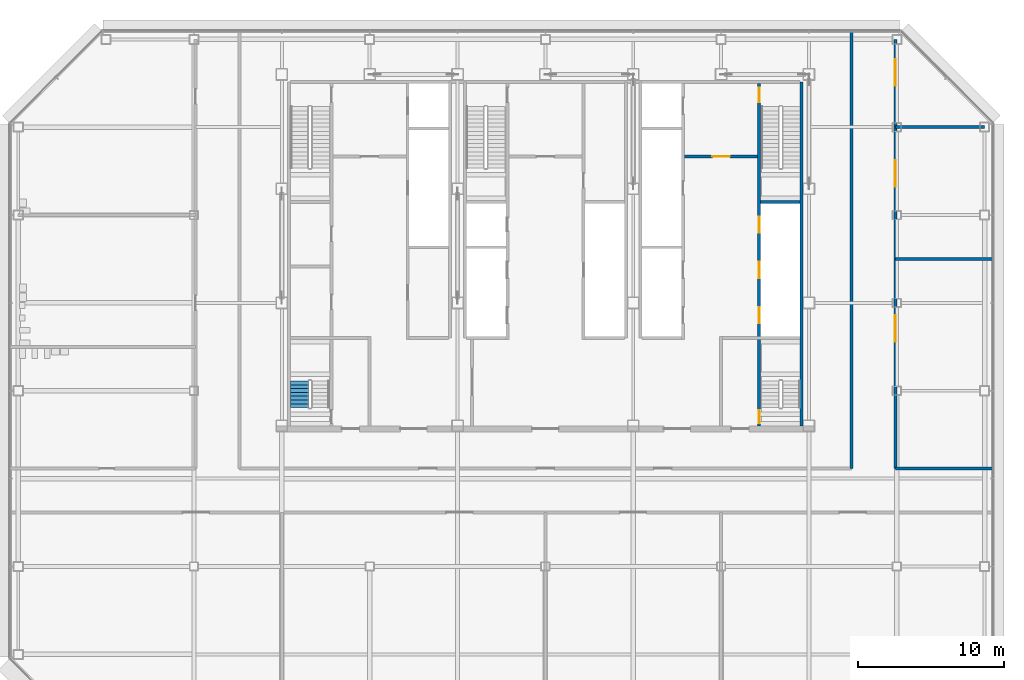
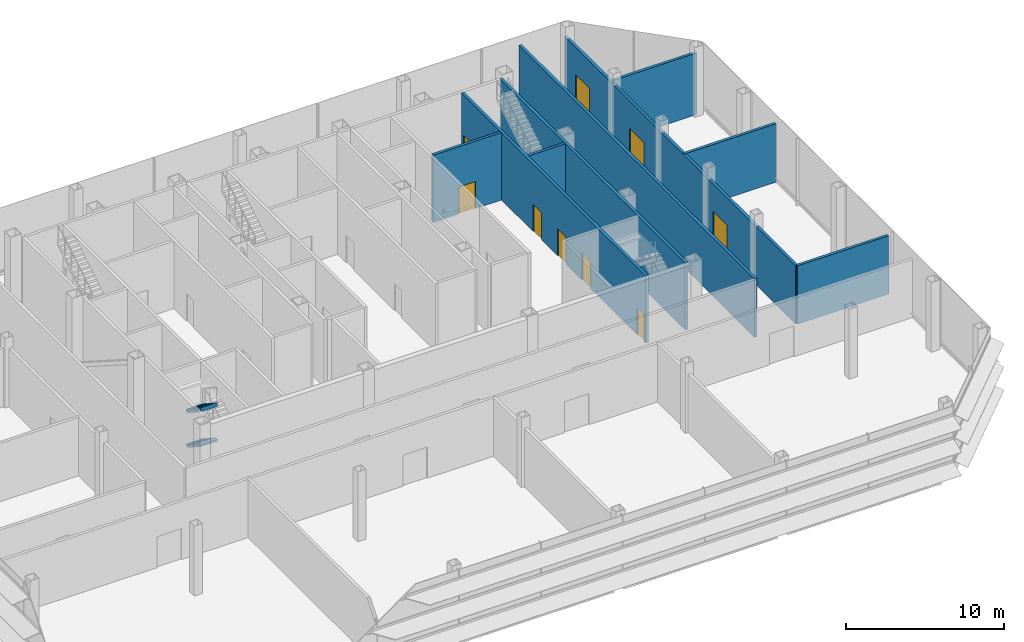
# One storey, part 20 of 25: 9 doors, 9 walls, 2 stair flights, 9 openings, 1 element without a shape of its own.
"""IFC4 building model written with IfcOpenShell, lengths in metres."""

from ifc_helpers import new_model, si_unit, direction, frame, frame_2d, origin, place, context, subcontext, project, spatial, polyline, rectangle, outline, extrude, material, layer, layer_set, type_object, element, fill, aggregate, save


model = new_model("IFC4")

# Units and contexts
model_context = context("Model", 3, precision=1e-05, world=origin(), true_north=direction((0.0, 1.0)))
body_context = subcontext(model_context, "Body", "Model", "MODEL_VIEW")
ifc_project = project(units=[si_unit("LENGTHUNIT", "METRE"), si_unit("AREAUNIT", "SQUARE_METRE"), si_unit("VOLUMEUNIT", "CUBIC_METRE"), si_unit("PLANEANGLEUNIT", "RADIAN"), si_unit("MASSUNIT", "GRAM", prefix="KILO")], contexts=[model_context])

# Site, building, storey
site_placement = place(None, origin())
site = spatial("IfcSite", under=ifc_project, at=site_placement, CompositionType="ELEMENT")
building_placement = place(site_placement, origin())
building = spatial("IfcBuilding", under=site, at=building_placement, Name="Sorahane Residences", CompositionType="ELEMENT")
storey_placement = place(building_placement, frame((0.0, 0.0, 210.0)))
storey = spatial("IfcBuildingStorey", under=building, at=storey_placement, Name="L49", CompositionType="ELEMENT", Elevation=210.0)

# Walls
ifc_material_1 = material(Name="Concrete C30", Category="concrete")
ifc_layer_1 = layer(ifc_material_1, 0.199951171875)
ifc_layer_set_1 = layer_set([ifc_layer_1], Name="Core face wall 200 EI 180")
wall_type_1 = type_object("IfcWallType", Name="Core face wall 200 EI 180", PredefinedType="SOLIDWALL", material=ifc_layer_set_1)
wall_1_placement = place(storey_placement, frame((41.5, 21.60009765625, 0.0), z_axis=(0.0, 0.0, 1.0), x_axis=(0.0, 1.0, 0.0)))
element("IfcWall", 1, at=wall_1_placement, inside=storey, type_object=wall_type_1, Name="L49 core face wall", PredefinedType="SOLIDWALL", context=body_context, shape_type="SweptSolid", body=[
    extrude(rectangle(XDim=23.5, YDim=0.199951171875, at=frame_2d((11.75, 0.0))), origin(), (0.0, 0.0, 1.0), 5.219970703125),
])
ifc_material_2 = material(Name="Concrete blockwork C20 wall", Category="masonry")
ifc_layer_2 = layer(ifc_material_2, 0.199951171875)
ifc_layer_set_2 = layer_set([ifc_layer_2], Name="Corridor wall 200 EI 120")
wall_type_2 = type_object("IfcWallType", Name="Corridor wall 200 EI 120", PredefinedType="SOLIDWALL", material=ifc_layer_set_2)
wall_2_placement = place(storey_placement, frame((44.89990234375, 18.699951171875, 0.0), z_axis=(0.0, 0.0, 1.0), x_axis=(0.0, 1.0, 0.0)))
element("IfcWall", 2, at=wall_2_placement, inside=storey, type_object=wall_type_2, Name="L49 corridor wall", PredefinedType="SOLIDWALL", context=body_context, shape_type="SweptSolid", body=[
    extrude(rectangle(XDim=29.900146484375, YDim=0.199951171875, at=frame_2d((14.9501953125, 0.0))), origin(), (0.0, 0.0, 1.0), 4.52001953125),
])

# Wall, openings, doors
wall_3_placement = place(storey_placement, frame((47.89990234375, 18.699951171875, 0.0), z_axis=(0.0, 0.0, 1.0), x_axis=(0.0, 1.0, 0.0)))
wall_3 = element("IfcWall", 3, at=wall_3_placement, inside=storey, type_object=wall_type_2, Name="L49 corridor wall", PredefinedType="SOLIDWALL", context=body_context, shape_type="SweptSolid", body=[
    extrude(rectangle(XDim=29.300048828125, YDim=0.199951171875, at=frame_2d((14.64990234375, 0.0))), origin(), (0.0, 0.0, 1.0), 4.52001953125),
])
opening_1_placement = place(wall_3_placement, frame((8.64990234375, 0.0, 0.0)))
opening_1 = element("IfcOpeningElement", 4, at=opening_1_placement, cuts=wall_3, Name="Opening L49-08", PredefinedType="OPENING", context=body_context, shape_type="SweptSolid", body=[
    extrude(rectangle(XDim=1.800048828125, YDim=2.39990234375, at=frame_2d((0.89990234375, 1.199951171875))), frame((0.0, 0.10986328125, 0.0), z_axis=(0.0, -1.0, 0.0), x_axis=(1.0, 0.0, 0.0)), (0.0, 0.0, 1.0), 0.219970703125),
])
opening_2_placement = place(wall_3_placement, frame((19.239990234375, 0.0, 0.0)))
opening_2 = element("IfcOpeningElement", 5, at=opening_2_placement, cuts=wall_3, Name="Opening L49-09", PredefinedType="OPENING", context=body_context, shape_type="SweptSolid", body=[
    extrude(rectangle(XDim=1.800048828125, YDim=2.39990234375, at=frame_2d((0.89990234375, 1.199951171875))), frame((0.0, 0.10986328125, 0.0), z_axis=(0.0, -1.0, 0.0), x_axis=(1.0, 0.0, 0.0)), (0.0, 0.0, 1.0), 0.219970703125),
])
opening_3_placement = place(wall_3_placement, frame((26.139892578125, 0.0, 0.0)))
opening_3 = element("IfcOpeningElement", 6, at=opening_3_placement, cuts=wall_3, Name="Opening L49-10", PredefinedType="OPENING", context=body_context, shape_type="SweptSolid", body=[
    extrude(rectangle(XDim=1.800048828125, YDim=2.39990234375, at=frame_2d((0.89990234375, 1.199951171875))), frame((0.0, 0.10986328125, 0.0), z_axis=(0.0, -1.0, 0.0), x_axis=(1.0, 0.0, 0.0)), (0.0, 0.0, 1.0), 0.219970703125),
])
ifc_material_3 = material(Name="Timber veneered fire door", Category="wood")
door_type_1 = type_object("IfcDoorType", Name="Double door 1800x2400 FD30", OperationType="NOTDEFINED", PredefinedType="DOOR", material=ifc_material_3)
door_1_placement = place(opening_1_placement, frame((1.800048828125, 0.0, 0.0), z_axis=(0.0, 0.0, 1.0), x_axis=(-1.0, 0.0, 0.0)))
door_1 = element("IfcDoor", 7, at=door_1_placement, inside=storey, type_object=door_type_1, Name="Double door L49-08", OperationType="SINGLE_SWING_LEFT", OverallHeight=2.39990234375, OverallWidth=1.800048828125, PredefinedType="DOOR", context=body_context, shape_type="SweptSolid", body=[
    extrude(rectangle(XDim=1.800048828125, YDim=2.39990234375, at=frame_2d((0.89990234375, 1.199951171875))), frame((0.0, 0.02490234375, 0.0), z_axis=(0.0, -1.0, 0.0), x_axis=(1.0, 0.0, 0.0)), (0.0, 0.0, 1.0), 0.050048828125),
])
fill(opening_1, door_1)
door_2_placement = place(opening_2_placement, frame((1.800048828125, 0.0, 0.0), z_axis=(0.0, 0.0, 1.0), x_axis=(-1.0, 0.0, 0.0)))
door_2 = element("IfcDoor", 8, at=door_2_placement, inside=storey, type_object=door_type_1, Name="Double door L49-09", OperationType="SINGLE_SWING_LEFT", OverallHeight=2.39990234375, OverallWidth=1.800048828125, PredefinedType="DOOR", context=body_context, shape_type="SweptSolid", body=[
    extrude(rectangle(XDim=1.800048828125, YDim=2.39990234375, at=frame_2d((0.89990234375, 1.199951171875))), frame((0.0, 0.02490234375, 0.0), z_axis=(0.0, -1.0, 0.0), x_axis=(1.0, 0.0, 0.0)), (0.0, 0.0, 1.0), 0.050048828125),
])
fill(opening_2, door_2)
door_3_placement = place(opening_3_placement, frame((1.800048828125, 0.0, 0.0), z_axis=(0.0, 0.0, 1.0), x_axis=(-1.0, 0.0, 0.0)))
door_3 = element("IfcDoor", 9, at=door_3_placement, inside=storey, type_object=door_type_1, Name="Double door L49-10", OperationType="SINGLE_SWING_RIGHT", OverallHeight=2.39990234375, OverallWidth=1.800048828125, PredefinedType="DOOR", context=body_context, shape_type="SweptSolid", body=[
    extrude(rectangle(XDim=1.800048828125, YDim=2.39990234375, at=frame_2d((0.89990234375, 1.199951171875))), frame((0.0, 0.02490234375, 0.0), z_axis=(0.0, -1.0, 0.0), x_axis=(1.0, 0.0, 0.0)), (0.0, 0.0, 1.0), 0.050048828125),
])
fill(opening_3, door_3)

# Walls
for number, where, z_axis, x_axis, name in (
    (10, (47.89990234375, 18.699951171875, 0.0), (0.0, 0.0, 1.0), (1.0, 0.0, 0.0), "L49 corridor wall"),
    (11, (47.89990234375, 33.0, 0.0), (0.0, 0.0, 1.0), (1.0, 0.0, 0.0), "L49 corridor wall"),
):
    element("IfcWall", number, at=place(storey_placement, frame(where, z_axis=z_axis, x_axis=x_axis)), inside=storey, type_object=wall_type_2, Name=name, PredefinedType="SOLIDWALL", context=body_context, shape_type="SweptSolid", body=[
        extrude(rectangle(XDim=6.7001953125, YDim=0.199951171875, at=frame_2d((3.35009765625, 0.0))), origin(), (0.0, 0.0, 1.0), 4.52001953125),
    ])
wall_4_placement = place(storey_placement, frame((47.89990234375, 42.0, 0.0), z_axis=(0.0, 0.0, 1.0), x_axis=(1.0, 0.0, 0.0)))
element("IfcWall", 12, at=wall_4_placement, inside=storey, type_object=wall_type_2, Name="L49 corridor wall", PredefinedType="SOLIDWALL", context=body_context, shape_type="SweptSolid", body=[
    extrude(rectangle(XDim=6.10009765625, YDim=0.199951171875, at=frame_2d((3.050048828125, 0.0))), origin(), (0.0, 0.0, 1.0), 4.77001953125),
])

# Wall, opening, door
ifc_material_4 = material(Name="Concrete C30", Category="concrete")
ifc_layer_3 = layer(ifc_material_4, 0.199951171875)
ifc_layer_set_3 = layer_set([ifc_layer_3], Name="Front room wall 200 EI 120")
wall_type_3 = type_object("IfcWallType", Name="Front room wall 200 EI 120", PredefinedType="PARTITIONING", material=ifc_layer_set_3)
wall_5_placement = place(storey_placement, frame((33.5, 40.0, 0.0), z_axis=(0.0, 0.0, 1.0), x_axis=(1.0, 0.0, 0.0)))
wall_5 = element("IfcWall", 13, at=wall_5_placement, inside=storey, type_object=wall_type_3, Name="L49 front room wall", PredefinedType="PARTITIONING", context=body_context, shape_type="SweptSolid", body=[
    extrude(rectangle(XDim=5.0, YDim=0.199951171875, at=frame_2d((2.5, 0.0))), origin(), (0.0, 0.0, 1.0), 5.219970703125),
])
opening_4_placement = place(wall_5_placement, frame((1.89990234375, 0.0, 0.0)))
opening_4 = element("IfcOpeningElement", 14, at=opening_4_placement, cuts=wall_5, Name="Opening L49-C09", PredefinedType="OPENING", context=body_context, shape_type="SweptSolid", body=[
    extrude(rectangle(XDim=1.199951171875, YDim=2.10009765625, at=frame_2d((0.60009765625, 1.050048828125))), frame((0.0, 0.10986328125, 0.0), z_axis=(0.0, -1.0, 0.0), x_axis=(1.0, 0.0, 0.0)), (0.0, 0.0, 1.0), 0.219970703125),
])
ifc_material_5 = material(Name="Steel", Category="steel")
door_type_2 = type_object("IfcDoorType", Name="Front room door 1200x2100 FD120", OperationType="NOTDEFINED", PredefinedType="DOOR", material=ifc_material_5)
door_4_placement = place(opening_4_placement, frame((1.199951171875, 0.0, 0.0), z_axis=(0.0, 0.0, 1.0), x_axis=(-1.0, 0.0, 0.0)))
door_4 = element("IfcDoor", 15, at=door_4_placement, inside=storey, type_object=door_type_2, Name="Front room door Firefighting lobby FF2 front room L49", OperationType="DOUBLE_DOOR_SINGLE_SWING", OverallHeight=2.10009765625, OverallWidth=1.199951171875, PredefinedType="DOOR", context=body_context, shape_type="SweptSolid", body=[
    extrude(rectangle(XDim=1.199951171875, YDim=2.10009765625, at=frame_2d((0.60009765625, 1.050048828125))), frame((0.0, 0.02490234375, 0.0), z_axis=(0.0, -1.0, 0.0), x_axis=(1.0, 0.0, 0.0)), (0.0, 0.0, 1.0), 0.050048828125),
])
fill(opening_4, door_4)

# Wall, openings, doors
ifc_material_6 = material(Name="Concrete C30", Category="concrete")
ifc_layer_4 = layer(ifc_material_6, 0.199951171875)
ifc_layer_set_4 = layer_set([ifc_layer_4], Name="Stair enclosure wall 200 EI 120")
wall_type_4 = type_object("IfcWallType", Name="Stair enclosure wall 200 EI 120", PredefinedType="SOLIDWALL", material=ifc_layer_set_4)
wall_6_placement = place(storey_placement, frame((38.60009765625, 21.60009765625, 0.0), z_axis=(0.0, 0.0, 1.0), x_axis=(0.0, 1.0, 0.0)))
wall_6 = element("IfcWall", 16, at=wall_6_placement, inside=storey, type_object=wall_type_4, Name="L49 stair enclosure wall", PredefinedType="SOLIDWALL", context=body_context, shape_type="SweptSolid", body=[
    extrude(rectangle(XDim=23.39990234375, YDim=0.199951171875, at=frame_2d((11.699951171875, 0.0))), origin(), (0.0, 0.0, 1.0), 5.219970703125),
])
opening_5_placement = place(wall_6_placement, frame((7.0, 0.0, 0.0)))
opening_5 = element("IfcOpeningElement", 17, at=opening_5_placement, cuts=wall_6, Name="Opening L49-C12", PredefinedType="OPENING", context=body_context, shape_type="SweptSolid", body=[
    extrude(rectangle(XDim=1.10009765625, YDim=2.10009765625, at=frame_2d((0.550048828125, 1.050048828125))), frame((0.0, 0.10986328125, 0.0), z_axis=(0.0, -1.0, 0.0), x_axis=(1.0, 0.0, 0.0)), (0.0, 0.0, 1.0), 0.219970703125),
])
opening_6_placement = place(wall_6_placement, frame((10.10009765625, 0.0, 0.0)))
opening_6 = element("IfcOpeningElement", 18, at=opening_6_placement, cuts=wall_6, Name="Opening L49-C13", PredefinedType="OPENING", context=body_context, shape_type="SweptSolid", body=[
    extrude(rectangle(XDim=1.10009765625, YDim=2.10009765625, at=frame_2d((0.550048828125, 1.050048828125))), frame((0.0, 0.10986328125, 0.0), z_axis=(0.0, -1.0, 0.0), x_axis=(1.0, 0.0, 0.0)), (0.0, 0.0, 1.0), 0.219970703125),
])
opening_7_placement = place(wall_6_placement, frame((13.199951171875, 0.0, 0.0)))
opening_7 = element("IfcOpeningElement", 19, at=opening_7_placement, cuts=wall_6, Name="Opening L49-C14", PredefinedType="OPENING", context=body_context, shape_type="SweptSolid", body=[
    extrude(rectangle(XDim=1.10009765625, YDim=2.10009765625, at=frame_2d((0.550048828125, 1.050048828125))), frame((0.0, 0.10986328125, 0.0), z_axis=(0.0, -1.0, 0.0), x_axis=(1.0, 0.0, 0.0)), (0.0, 0.0, 1.0), 0.219970703125),
])
opening_8_placement = place(wall_6_placement, frame((22.10009765625, 0.0, 0.0)))
opening_8 = element("IfcOpeningElement", 20, at=opening_8_placement, cuts=wall_6, Name="Opening L49-C23", PredefinedType="OPENING", context=body_context, shape_type="SweptSolid", body=[
    extrude(rectangle(XDim=1.0, YDim=2.10009765625, at=frame_2d((0.5, 1.050048828125))), frame((0.0, 0.10986328125, 0.0), z_axis=(0.0, -1.0, 0.0), x_axis=(1.0, 0.0, 0.0)), (0.0, 0.0, 1.0), 0.219970703125),
])
opening_9_placement = place(wall_6_placement, frame((0.175048828125, 0.0, 0.0)))
opening_9 = element("IfcOpeningElement", 21, at=opening_9_placement, cuts=wall_6, Name="Opening L49-C26", PredefinedType="OPENING", context=body_context, shape_type="SweptSolid", body=[
    extrude(rectangle(XDim=0.89990234375, YDim=2.10009765625, at=frame_2d((0.449951171875, 1.050048828125))), frame((0.0, 0.10986328125, 0.0), z_axis=(0.0, -1.0, 0.0), x_axis=(1.0, 0.0, 0.0)), (0.0, 0.0, 1.0), 0.219970703125),
])
ifc_material_7 = material(Name="Aluminium and stainless steel", Category="steel")
door_type_3 = type_object("IfcDoorType", Name="Lift landing door 1100x2100 E 60", OperationType="NOTDEFINED", PredefinedType="DOOR", material=ifc_material_7)
door_5_placement = place(opening_5_placement, origin())
door_5 = element("IfcDoor", 22, at=door_5_placement, inside=storey, type_object=door_type_3, Name="Lift landing door HR1 L49", OperationType="DOUBLE_DOOR_SLIDING", OverallHeight=2.10009765625, OverallWidth=1.10009765625, PredefinedType="DOOR", context=body_context, shape_type="SweptSolid", body=[
    extrude(rectangle(XDim=1.10009765625, YDim=2.10009765625, at=frame_2d((0.550048828125, 1.050048828125))), frame((0.0, 0.02490234375, 0.0), z_axis=(0.0, -1.0, 0.0), x_axis=(1.0, 0.0, 0.0)), (0.0, 0.0, 1.0), 0.050048828125),
])
fill(opening_5, door_5)
door_6_placement = place(opening_6_placement, origin())
door_6 = element("IfcDoor", 23, at=door_6_placement, inside=storey, type_object=door_type_3, Name="Lift landing door HR2 L49", OperationType="DOUBLE_DOOR_SLIDING", OverallHeight=2.10009765625, OverallWidth=1.10009765625, PredefinedType="DOOR", context=body_context, shape_type="SweptSolid", body=[
    extrude(rectangle(XDim=1.10009765625, YDim=2.10009765625, at=frame_2d((0.550048828125, 1.050048828125))), frame((0.0, 0.02490234375, 0.0), z_axis=(0.0, -1.0, 0.0), x_axis=(1.0, 0.0, 0.0)), (0.0, 0.0, 1.0), 0.050048828125),
])
fill(opening_6, door_6)
door_7_placement = place(opening_7_placement, origin())
door_7 = element("IfcDoor", 24, at=door_7_placement, inside=storey, type_object=door_type_3, Name="Lift landing door HR3 L49", OperationType="DOUBLE_DOOR_SLIDING", OverallHeight=2.10009765625, OverallWidth=1.10009765625, PredefinedType="DOOR", context=body_context, shape_type="SweptSolid", body=[
    extrude(rectangle(XDim=1.10009765625, YDim=2.10009765625, at=frame_2d((0.550048828125, 1.050048828125))), frame((0.0, 0.02490234375, 0.0), z_axis=(0.0, -1.0, 0.0), x_axis=(1.0, 0.0, 0.0)), (0.0, 0.0, 1.0), 0.050048828125),
])
fill(opening_7, door_7)
ifc_material_8 = material(Name="Steel", Category="steel")
door_type_4 = type_object("IfcDoorType", Name="Stair door 1000x2100 FD120", OperationType="NOTDEFINED", PredefinedType="DOOR", material=ifc_material_8)
door_8_placement = place(opening_8_placement, frame((1.0, 0.0, 0.0), z_axis=(0.0, 0.0, 1.0), x_axis=(-1.0, 0.0, 0.0)))
door_8 = element("IfcDoor", 25, at=door_8_placement, inside=storey, type_object=door_type_4, Name="Stair door S2 L49", OperationType="SINGLE_SWING_LEFT", OverallHeight=2.10009765625, OverallWidth=1.0, PredefinedType="DOOR", context=body_context, shape_type="SweptSolid", body=[
    extrude(rectangle(XDim=1.0, YDim=2.10009765625, at=frame_2d((0.5, 1.050048828125))), frame((0.0, 0.02490234375, 0.0), z_axis=(0.0, -1.0, 0.0), x_axis=(1.0, 0.0, 0.0)), (0.0, 0.0, 1.0), 0.050048828125),
])
fill(opening_8, door_8)
ifc_material_9 = material(Name="Steel", Category="steel")
door_type_5 = type_object("IfcDoorType", Name="Stair door 900x2100 FD120", OperationType="NOTDEFINED", PredefinedType="DOOR", material=ifc_material_9)
door_9_placement = place(opening_9_placement, frame((0.89990234375, 0.0, 0.0), z_axis=(0.0, 0.0, 1.0), x_axis=(-1.0, 0.0, 0.0)))
door_9 = element("IfcDoor", 26, at=door_9_placement, inside=storey, type_object=door_type_5, Name="Stair door S5 L49", OperationType="SINGLE_SWING_LEFT", OverallHeight=2.10009765625, OverallWidth=0.89990234375, PredefinedType="DOOR", context=body_context, shape_type="SweptSolid", body=[
    extrude(rectangle(XDim=0.89990234375, YDim=2.10009765625, at=frame_2d((0.449951171875, 1.050048828125))), frame((0.0, 0.02490234375, 0.0), z_axis=(0.0, -1.0, 0.0), x_axis=(1.0, 0.0, 0.0)), (0.0, 0.0, 1.0), 0.050048828125),
])
fill(opening_9, door_9)

# Wall
wall_7_placement = place(storey_placement, frame((38.699951171875, 36.89990234375, 0.0), z_axis=(0.0, 0.0, 1.0), x_axis=(1.0, 0.0, 0.0)))
element("IfcWall", 27, at=wall_7_placement, inside=storey, type_object=wall_type_4, Name="L49 stair enclosure wall", PredefinedType="SOLIDWALL", context=body_context, shape_type="SweptSolid", body=[
    extrude(rectangle(XDim=2.699951171875, YDim=0.199951171875, at=frame_2d((1.35009765625, 0.0))), origin(), (0.0, 0.0, 1.0), 5.219970703125),
])

# Stair, stair flights
ifc_material_10 = material(Name="Concrete C40", Category="concrete")
stair_type = type_object("IfcStairType", Name="Dog-leg stair 1250 Concrete C40", PredefinedType="HALF_TURN_STAIR", material=ifc_material_10)
stair_placement = place(storey_placement, origin())
stair = element("IfcStair", 28, at=stair_placement, inside=storey, type_object=stair_type, Name="L49 Stair S4", PredefinedType="HALF_TURN_STAIR")
ifc_material_11 = material(Name="Concrete C40", Category="concrete")
stair_flight_type = type_object("IfcStairFlightType", Name="Stair flight 1250 Concrete C40", PredefinedType="STRAIGHT", material=ifc_material_11)
stair_flight_1_placement = place(storey_placement, frame((7.22509765625, 24.669921875, 1.35009765625), z_axis=(0.0, 0.0, 1.0), x_axis=(0.0, -1.0, 0.0)))
stair_flight_1 = element("IfcStairFlight", 29, at=stair_flight_1_placement, type_object=stair_flight_type, Name="S4 flight 2", NumberOfRisers=8, NumberOfTreads=7, PredefinedType="STRAIGHT", RiserHeight=0.16875, TreadLength=0.26, context=body_context, shape_type="SweptSolid", body=[
    extrude(outline(polyline([(0.0, 0.0), (0.0, 0.002197265625), (0.0, 0.004150390625), (0.0, 0.00634765625), (0.0, 0.00830078125), (0.0, 0.010498046875), (0.0, 0.012451171875), (0.0, 0.0146484375), (0.0, 0.0166015625), (0.0, 0.018798828125), (0.0, 0.020751953125), (0.0, 0.02294921875), (0.0, 0.02490234375), (0.0, 0.027099609375), (0.0, 0.029052734375), (0.0, 0.03125), (0.0, 0.033447265625), (0.0, 0.035400390625), (0.0, 0.03759765625), (0.0, 0.03955078125), (0.0, 0.041748046875), (0.0, 0.043701171875), (0.0, 0.0458984375), (0.0, 0.0478515625), (0.0, 0.050048828125), (0.0, 0.052001953125), (0.0, 0.05419921875), (0.0, 0.05615234375), (0.0, 0.058349609375), (0.0, 0.060302734375), (0.0, 0.0625), (0.0, 0.064697265625), (0.0, 0.066650390625), (0.0, 0.06884765625), (0.0, 0.07080078125), (0.0, 0.072998046875), (0.0, 0.074951171875), (0.0, 0.0771484375), (0.0, 0.0791015625), (0.0, 0.081298828125), (0.0, 0.083251953125), (0.0, 0.08544921875), (0.0, 0.08740234375), (0.0, 0.089599609375), (0.0, 0.091552734375), (0.0, 0.09375), (0.0, 0.095947265625), (0.0, 0.097900390625), (0.0, 0.10009765625), (0.0, 0.10205078125), (0.0, 0.104248046875), (0.0, 0.106201171875), (0.0, 0.1083984375), (0.0, 0.1103515625), (0.0, 0.112548828125), (0.0, 0.114501953125), (0.0, 0.11669921875), (0.0, 0.11865234375), (0.0, 0.120849609375), (0.0, 0.122802734375), (0.0, 0.125), (0.0, 0.127197265625), (0.0, 0.129150390625), (0.0, 0.13134765625), (0.0, 0.13330078125), (0.0, 0.135498046875), (0.0, 0.137451171875), (0.0, 0.1396484375), (0.0, 0.1416015625), (0.0, 0.143798828125), (0.0, 0.145751953125), (0.0, 0.14794921875), (0.0, 0.14990234375), (0.0, 0.152099609375), (0.0, 0.154052734375), (0.0, 0.15625), (0.0, 0.158447265625), (0.0, 0.160400390625), (0.0, 0.16259765625), (0.0, 0.16455078125), (0.0, 0.166748046875), (0.0, 0.168701171875), (0.260009765625, 0.168701171875), (0.260009765625, 0.33740234375), (0.52001953125, 0.33740234375), (0.52001953125, 0.50634765625), (0.780029296875, 0.50634765625), (0.780029296875, 0.675048828125), (1.0400390625, 0.675048828125), (1.0400390625, 0.84375), (1.300048828125, 0.84375), (1.300048828125, 1.012451171875), (1.56005859375, 1.012451171875), (1.56005859375, 1.18115234375), (1.820068359375, 1.18115234375), (1.820068359375, 1.35009765625), (1.820068359375, 1.34619140625), (1.820068359375, 1.34228515625), (1.820068359375, 1.33837890625), (1.820068359375, 1.334716796875), (1.820068359375, 1.330810546875), (1.820068359375, 1.326904296875), (1.820068359375, 1.322998046875), (1.820068359375, 1.319091796875), (1.820068359375, 1.3154296875), (1.820068359375, 1.3115234375), (1.820068359375, 1.3076171875), (1.820068359375, 1.3037109375), (1.820068359375, 1.300048828125), (1.820068359375, 1.296142578125), (1.820068359375, 1.292236328125), (1.820068359375, 1.288330078125), (1.820068359375, 1.284423828125), (1.820068359375, 1.28076171875), (1.820068359375, 1.27685546875), (1.820068359375, 1.27294921875), (1.820068359375, 1.26904296875), (1.820068359375, 1.265380859375), (1.820068359375, 1.261474609375), (1.820068359375, 1.257568359375), (1.820068359375, 1.253662109375), (1.820068359375, 1.249755859375), (1.820068359375, 1.24609375), (1.820068359375, 1.2421875), (1.820068359375, 1.23828125), (1.820068359375, 1.234375), (1.820068359375, 1.230712890625), (1.820068359375, 1.226806640625), (1.820068359375, 1.222900390625), (1.820068359375, 1.218994140625), (1.820068359375, 1.215087890625), (1.820068359375, 1.21142578125), (1.820068359375, 1.20751953125), (1.820068359375, 1.20361328125), (1.820068359375, 1.19970703125), (1.820068359375, 1.196044921875), (1.820068359375, 1.192138671875), (1.820068359375, 1.188232421875), (1.820068359375, 1.184326171875), (1.820068359375, 1.1806640625), (1.820068359375, 1.1767578125), (1.820068359375, 1.1728515625), (1.820068359375, 1.1689453125), (1.820068359375, 1.1650390625), (1.820068359375, 1.161376953125), (1.820068359375, 1.157470703125), (1.820068359375, 1.153564453125), (1.820068359375, 1.149658203125), (1.820068359375, 1.14599609375), (1.820068359375, 1.14208984375), (1.820068359375, 1.13818359375), (1.820068359375, 1.13427734375), (1.820068359375, 1.13037109375), (1.820068359375, 1.126708984375), (1.820068359375, 1.122802734375), (1.820068359375, 1.118896484375), (1.820068359375, 1.114990234375), (1.820068359375, 1.111328125), (1.820068359375, 1.107421875), (1.820068359375, 1.103515625), (1.820068359375, 1.099609375), (1.820068359375, 1.095703125), (1.820068359375, 1.092041015625), (1.820068359375, 1.088134765625), (1.820068359375, 1.084228515625), (1.820068359375, 1.080322265625), (1.820068359375, 1.07666015625), (1.820068359375, 1.07275390625), (1.820068359375, 1.06884765625), (1.820068359375, 1.06494140625), (1.820068359375, 1.061279296875), (1.820068359375, 1.057373046875), (1.820068359375, 1.053466796875), (1.820068359375, 1.049560546875), (1.820068359375, 1.045654296875), (1.820068359375, 1.0419921875), (1.820068359375, 1.0380859375), (1.6201171875, 0.908203125), (1.420166015625, 0.778564453125), (1.22021484375, 0.648681640625), (1.020263671875, 0.51904296875), (0.8203125, 0.38916015625), (0.620361328125, 0.259521484375), (0.420654296875, 0.129638671875), (0.220703125, 0.0), (0.0, 0.0)])), frame((0.0, 0.625, 0.0), z_axis=(0.0, -1.0, 0.0), x_axis=(1.0, 0.0, 0.0)), (0.0, 0.0, 1.0), 1.25),
])
stair_flight_2_placement = place(storey_placement, frame((7.22509765625, 24.669921875, 4.050048828125), z_axis=(0.0, 0.0, 1.0), x_axis=(0.0, -1.0, 0.0)))
stair_flight_2 = element("IfcStairFlight", 30, at=stair_flight_2_placement, type_object=stair_flight_type, Name="S4 flight 4", NumberOfRisers=8, NumberOfTreads=7, PredefinedType="STRAIGHT", RiserHeight=0.16875, TreadLength=0.26, context=body_context, shape_type="SweptSolid", body=[
    extrude(outline(polyline([(0.0, 0.0), (0.0, 0.002197265625), (0.0, 0.004150390625), (0.0, 0.00634765625), (0.0, 0.00830078125), (0.0, 0.010498046875), (0.0, 0.012451171875), (0.0, 0.0146484375), (0.0, 0.0166015625), (0.0, 0.018798828125), (0.0, 0.020751953125), (0.0, 0.02294921875), (0.0, 0.02490234375), (0.0, 0.027099609375), (0.0, 0.029052734375), (0.0, 0.03125), (0.0, 0.033447265625), (0.0, 0.035400390625), (0.0, 0.03759765625), (0.0, 0.03955078125), (0.0, 0.041748046875), (0.0, 0.043701171875), (0.0, 0.0458984375), (0.0, 0.0478515625), (0.0, 0.050048828125), (0.0, 0.052001953125), (0.0, 0.05419921875), (0.0, 0.05615234375), (0.0, 0.058349609375), (0.0, 0.060302734375), (0.0, 0.0625), (0.0, 0.064697265625), (0.0, 0.066650390625), (0.0, 0.06884765625), (0.0, 0.07080078125), (0.0, 0.072998046875), (0.0, 0.074951171875), (0.0, 0.0771484375), (0.0, 0.0791015625), (0.0, 0.081298828125), (0.0, 0.083251953125), (0.0, 0.08544921875), (0.0, 0.08740234375), (0.0, 0.089599609375), (0.0, 0.091552734375), (0.0, 0.09375), (0.0, 0.095947265625), (0.0, 0.097900390625), (0.0, 0.10009765625), (0.0, 0.10205078125), (0.0, 0.104248046875), (0.0, 0.106201171875), (0.0, 0.1083984375), (0.0, 0.1103515625), (0.0, 0.112548828125), (0.0, 0.114501953125), (0.0, 0.11669921875), (0.0, 0.11865234375), (0.0, 0.120849609375), (0.0, 0.122802734375), (0.0, 0.125), (0.0, 0.127197265625), (0.0, 0.129150390625), (0.0, 0.13134765625), (0.0, 0.13330078125), (0.0, 0.135498046875), (0.0, 0.137451171875), (0.0, 0.1396484375), (0.0, 0.1416015625), (0.0, 0.143798828125), (0.0, 0.145751953125), (0.0, 0.14794921875), (0.0, 0.14990234375), (0.0, 0.152099609375), (0.0, 0.154052734375), (0.0, 0.15625), (0.0, 0.158447265625), (0.0, 0.160400390625), (0.0, 0.16259765625), (0.0, 0.16455078125), (0.0, 0.166748046875), (0.0, 0.168701171875), (0.260009765625, 0.168701171875), (0.260009765625, 0.33740234375), (0.52001953125, 0.33740234375), (0.52001953125, 0.50634765625), (0.780029296875, 0.50634765625), (0.780029296875, 0.675048828125), (1.0400390625, 0.675048828125), (1.0400390625, 0.84375), (1.300048828125, 0.84375), (1.300048828125, 1.012451171875), (1.56005859375, 1.012451171875), (1.56005859375, 1.18115234375), (1.820068359375, 1.18115234375), (1.820068359375, 1.35009765625), (1.821533203125, 1.35009765625), (1.821533203125, 1.34619140625), (1.821533203125, 1.34228515625), (1.821533203125, 1.33837890625), (1.821533203125, 1.334716796875), (1.821533203125, 1.330810546875), (1.821533203125, 1.326904296875), (1.821533203125, 1.322998046875), (1.821533203125, 1.319091796875), (1.821533203125, 1.3154296875), (1.821533203125, 1.3115234375), (1.821533203125, 1.3076171875), (1.821533203125, 1.3037109375), (1.821533203125, 1.300048828125), (1.821533203125, 1.296142578125), (1.821533203125, 1.292236328125), (1.821533203125, 1.288330078125), (1.821533203125, 1.284423828125), (1.821533203125, 1.28076171875), (1.821533203125, 1.27685546875), (1.821533203125, 1.27294921875), (1.821533203125, 1.26904296875), (1.821533203125, 1.265380859375), (1.821533203125, 1.261474609375), (1.821533203125, 1.257568359375), (1.821533203125, 1.253662109375), (1.821533203125, 1.249755859375), (1.821533203125, 1.24609375), (1.821533203125, 1.2421875), (1.821533203125, 1.23828125), (1.821533203125, 1.234375), (1.821533203125, 1.230712890625), (1.821533203125, 1.226806640625), (1.821533203125, 1.222900390625), (1.821533203125, 1.218994140625), (1.821533203125, 1.215087890625), (1.821533203125, 1.21142578125), (1.821533203125, 1.20751953125), (1.821533203125, 1.20361328125), (1.821533203125, 1.19970703125), (1.821533203125, 1.196044921875), (1.821533203125, 1.192138671875), (1.821533203125, 1.188232421875), (1.821533203125, 1.184326171875), (1.821533203125, 1.1806640625), (1.821533203125, 1.1767578125), (1.821533203125, 1.1728515625), (1.821533203125, 1.1689453125), (1.821533203125, 1.1650390625), (1.821533203125, 1.161376953125), (1.821533203125, 1.157470703125), (1.821533203125, 1.153564453125), (1.821533203125, 1.149658203125), (1.821533203125, 1.14599609375), (1.821533203125, 1.14208984375), (1.821533203125, 1.13818359375), (1.821533203125, 1.13427734375), (1.821533203125, 1.13037109375), (1.821533203125, 1.126708984375), (1.821533203125, 1.122802734375), (1.821533203125, 1.118896484375), (1.821533203125, 1.114990234375), (1.821533203125, 1.111328125), (1.821533203125, 1.107421875), (1.821533203125, 1.103515625), (1.821533203125, 1.099609375), (1.821533203125, 1.095703125), (1.821533203125, 1.092041015625), (1.821533203125, 1.088134765625), (1.821533203125, 1.084228515625), (1.821533203125, 1.080322265625), (1.821533203125, 1.07666015625), (1.821533203125, 1.07275390625), (1.821533203125, 1.06884765625), (1.821533203125, 1.06494140625), (1.821533203125, 1.061279296875), (1.821533203125, 1.057373046875), (1.821533203125, 1.053466796875), (1.821533203125, 1.049560546875), (1.821533203125, 1.045654296875), (1.821533203125, 1.0419921875), (1.821533203125, 1.0380859375), (1.6435546875, 0.922607421875), (1.4658203125, 0.807373046875), (1.287841796875, 0.692138671875), (1.110107421875, 0.57666015625), (0.93212890625, 0.46142578125), (0.754150390625, 0.345947265625), (0.576416015625, 0.230712890625), (0.3984375, 0.115234375), (0.220703125, 0.0), (0.0, 0.0)])), frame((0.0, 0.625, 0.0), z_axis=(0.0, -1.0, 0.0), x_axis=(1.0, 0.0, 0.0)), (0.0, 0.0, 1.0), 1.25),
])
aggregate(stair, [stair_flight_1, stair_flight_2])

save(model, "model.ifc")
